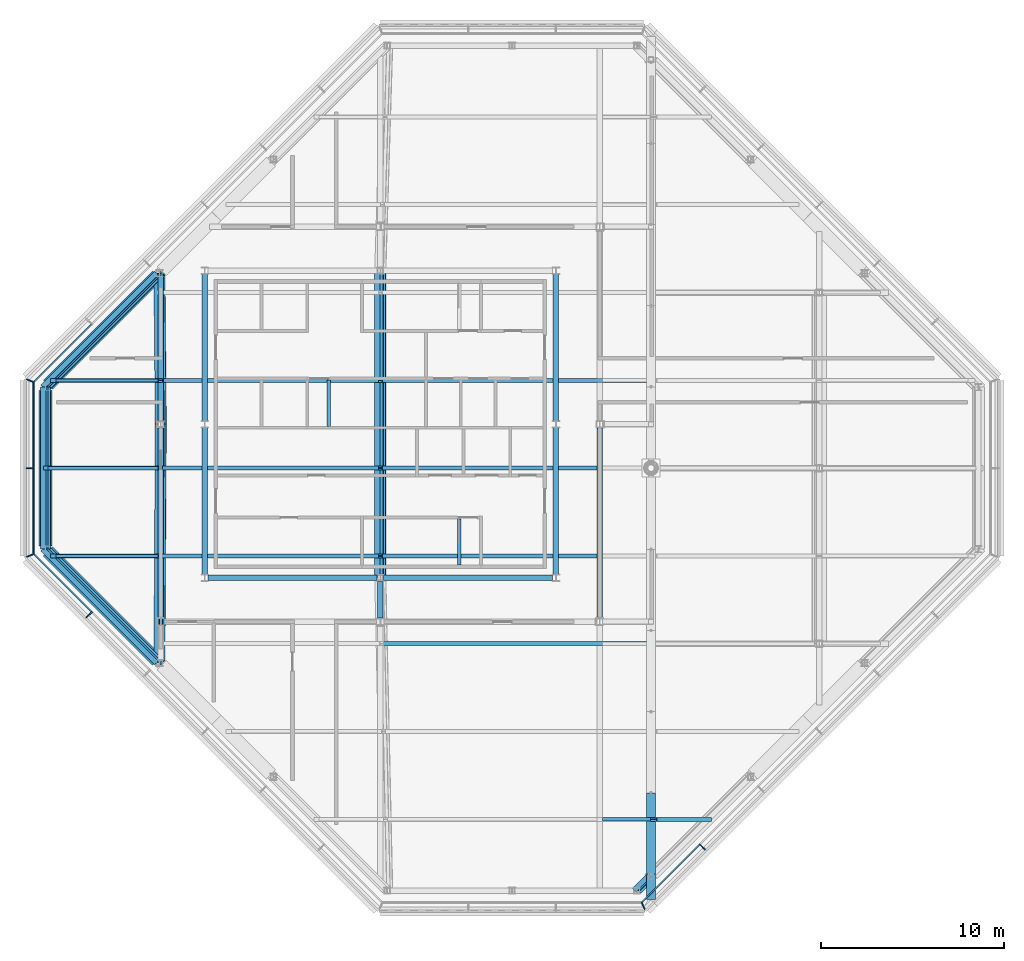
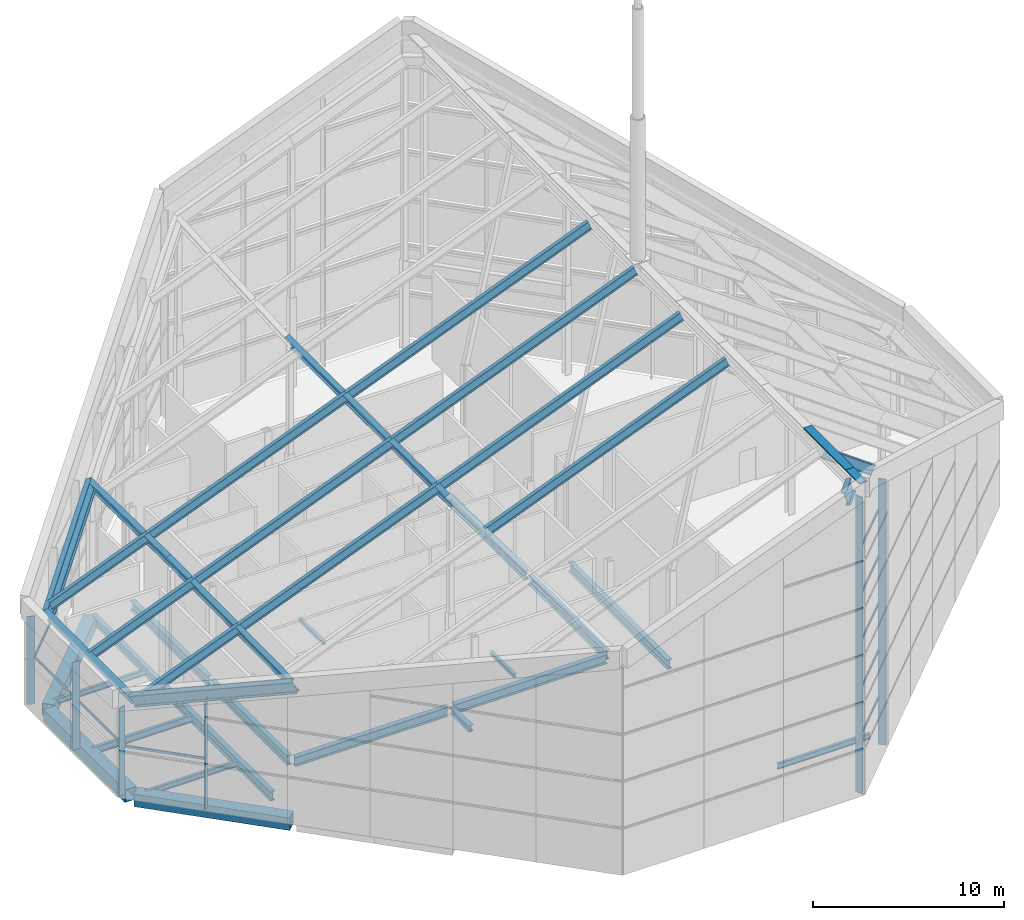
# One storey, part 5 of 21: 37 beams, 17 members, 4 elements without a shape of their own.
"""IFC4 building model written with IfcOpenShell, lengths in metres."""

from ifc_helpers import new_model, si_unit, direction, frame, origin, origin_2d, place, context, subcontext, project, spatial, rectangle, hollow_rectangle, i_section, extrude, material, material_profile, profile_set, type_object, element, aggregate, save


model = new_model("IFC4")

# Units and contexts
model_context = context("Model", 3, precision=1e-05, world=origin(), true_north=direction((0.0, 1.0)))
body_context = subcontext(model_context, "Body", "Model", "MODEL_VIEW")
ifc_project = project(units=[si_unit("LENGTHUNIT", "METRE"), si_unit("AREAUNIT", "SQUARE_METRE"), si_unit("VOLUMEUNIT", "CUBIC_METRE"), si_unit("PLANEANGLEUNIT", "RADIAN"), si_unit("MASSUNIT", "GRAM", prefix="KILO")], contexts=[model_context])

# Site, building, storey
site_placement = place(None, origin())
site = spatial("IfcSite", under=ifc_project, at=site_placement, CompositionType="ELEMENT")
building_placement = place(site_placement, origin())
building = spatial("IfcBuilding", under=site, at=building_placement, Name="Cairn Pilgrim Tower", CompositionType="ELEMENT")
storey_placement = place(building_placement, frame((0.0, 0.0, 295.800048828125)))
storey = spatial("IfcBuildingStorey", under=building, at=storey_placement, Name="L76", CompositionType="ELEMENT", Elevation=295.800048828125)

# Beams
ifc_material_1 = material(Name="Structural steel S355J2", Category="steel")
ifc_material_profile_1 = material_profile(ifc_material_1, hollow_rectangle(XDim=0.699951171875, YDim=0.800048828125, WallThickness=0.0400390625, at=origin_2d()), Name="BOX 700x800x40")
ifc_profile_set_1 = profile_set([ifc_material_profile_1], Name="Structural steel S355J2")
beam_type_1 = type_object("IfcBeamType", Name="BOX 700x800x40 RING GIRDER", PredefinedType="SPANDREL", material=ifc_profile_set_1)
beam_1_placement = place(storey_placement, frame((-5.000244140625, 10.527099609375, -0.60009765625), z_axis=(-0.707092335843, -0.707121226235, 0.0), x_axis=(0.707121226235, -0.707092335843, 0.0)))
element("IfcBeam", 1, at=beam_1_placement, inside=storey, type_object=beam_type_1, Name="RG4-NW3-W1", PredefinedType="SPANDREL", context=body_context, shape_type="SweptSolid", body=[
    extrude(hollow_rectangle(XDim=0.699951171875, YDim=0.800048828125, WallThickness=0.0400390625, at=origin_2d()), origin(), (0.0, 0.0, 1.0), 8.45068359375),
])
beam_2_placement = place(storey_placement, frame((-11.10009765625, 4.251220703125, -0.60009765625), z_axis=(0.0, -1.0, 0.0), x_axis=(1.0, 0.0, 0.0)))
element("IfcBeam", 2, at=beam_2_placement, inside=storey, type_object=beam_type_1, Name="RG4-W1-SW1", PredefinedType="SPANDREL", context=body_context, shape_type="SweptSolid", body=[
    extrude(hollow_rectangle(XDim=0.699951171875, YDim=0.800048828125, WallThickness=0.0400390625, at=origin_2d()), origin(), (0.0, 0.0, 1.0), 8.50244140625),
])
beam_3_placement = place(storey_placement, frame((-10.9755859375, -4.551513671875, -0.60009765625), z_axis=(0.707092335843, -0.707121226235, 0.0), x_axis=(0.707121226235, 0.707092335843, 0.0)))
element("IfcBeam", 3, at=beam_3_placement, inside=storey, type_object=beam_type_1, Name="RG4-SW1-SW2", PredefinedType="SPANDREL", context=body_context, shape_type="SweptSolid", body=[
    extrude(hollow_rectangle(XDim=0.699951171875, YDim=0.800048828125, WallThickness=0.0400390625, at=origin_2d()), origin(), (0.0, 0.0, 1.0), 8.45068359375),
])
ifc_material_profile_2 = material_profile(ifc_material_1, i_section(OverallWidth=0.300048828125, OverallDepth=0.699951171875, WebThickness=0.01708984375, FlangeThickness=0.031982421875, FilletRadius=0.027099609375, at=origin_2d()), Name="HEB 700")
ifc_profile_set_2 = profile_set([ifc_material_profile_2], Name="Structural steel S355J2")
beam_type_2 = type_object("IfcBeamType", Name="CROWN GIRDER HE 700 B", PredefinedType="BEAM", material=ifc_profile_set_2)
beam_4_placement = place(storey_placement, frame((-11.10009765625, 4.42724609375, 5.657958984375), z_axis=(0.0, -1.0, 0.0), x_axis=(0.929416242659, 0.0, 0.369033125724)))
element("IfcBeam", 4, at=beam_4_placement, inside=storey, type_object=beam_type_2, Name="CROWN GIRDER CG-HE700B", PredefinedType="BEAM", context=body_context, shape_type="SweptSolid", body=[
    extrude(i_section(OverallWidth=0.300048828125, OverallDepth=0.699951171875, WebThickness=0.01708984375, FlangeThickness=0.031982421875, FilletRadius=0.027099609375, at=origin_2d()), origin(), (0.0, 0.0, 1.0), 8.8544921875),
])
ifc_material_profile_3 = material_profile(ifc_material_1, i_section(OverallWidth=0.219970703125, OverallDepth=0.60009765625, WebThickness=0.011962890625, FlangeThickness=0.01904296875, FilletRadius=0.02392578125, at=origin_2d()), Name="IPE 600")
ifc_profile_set_3 = profile_set([ifc_material_profile_3], Name="Structural steel S355J2")
beam_type_3 = type_object("IfcBeamType", Name="CROWN RAFTER IPE 600", PredefinedType="BEAM", material=ifc_profile_set_3)
beam_5_placement = place(storey_placement, frame((7.278564453125, -9.60009765625, 13.009033203125), z_axis=(0.929413407122, 0.0, 0.369040266992), x_axis=(0.0, 1.0, 0.0)))
element("IfcBeam", 5, at=beam_5_placement, inside=storey, type_object=beam_type_3, Name="CROWN RAFTER CR-IPE600", PredefinedType="BEAM", context=body_context, shape_type="SweptSolid", body=[
    extrude(i_section(OverallWidth=0.219970703125, OverallDepth=0.60009765625, WebThickness=0.011962890625, FlangeThickness=0.01904296875, FilletRadius=0.02392578125, at=origin_2d()), origin(), (0.0, 0.0, 1.0), 15.67822265625),
])
beam_6_placement = place(storey_placement, frame((-10.727294921875, -4.800048828125, 5.85986328125), z_axis=(0.929428175084, 0.0, 0.369003072291), x_axis=(0.0, 1.0, 0.0)))
element("IfcBeam", 6, at=beam_6_placement, inside=storey, type_object=beam_type_3, Name="CROWN RAFTER CR-IPE600", PredefinedType="BEAM", context=body_context, shape_type="SweptSolid", body=[
    extrude(i_section(OverallWidth=0.219970703125, OverallDepth=0.60009765625, WebThickness=0.011962890625, FlangeThickness=0.01904296875, FilletRadius=0.02392578125, at=origin_2d()), origin(), (0.0, 0.0, 1.0), 6.332275390625),
])
beam_7_placement = place(storey_placement, frame((-4.841796875, -4.800048828125, 8.196533203125), z_axis=(0.929410705557, 0.0, 0.369047070704), x_axis=(0.0, 1.0, 0.0)))
element("IfcBeam", 7, at=beam_7_placement, inside=storey, type_object=beam_type_3, Name="CROWN RAFTER CR-IPE600", PredefinedType="BEAM", context=body_context, shape_type="SweptSolid", body=[
    extrude(i_section(OverallWidth=0.219970703125, OverallDepth=0.60009765625, WebThickness=0.011962890625, FlangeThickness=0.01904296875, FilletRadius=0.02392578125, at=origin_2d()), origin(), (0.0, 0.0, 1.0), 12.956298828125),
])
beam_8_placement = place(storey_placement, frame((7.199951171875, -4.800048828125, 12.97802734375), z_axis=(0.929417953822, 0.0, 0.369028816101), x_axis=(0.0, 1.0, 0.0)))
element("IfcBeam", 8, at=beam_8_placement, inside=storey, type_object=beam_type_3, Name="CROWN RAFTER CR-IPE600", PredefinedType="BEAM", context=body_context, shape_type="SweptSolid", body=[
    extrude(i_section(OverallWidth=0.219970703125, OverallDepth=0.60009765625, WebThickness=0.011962890625, FlangeThickness=0.01904296875, FilletRadius=0.02392578125, at=origin_2d()), origin(), (0.0, 0.0, 1.0), 15.7626953125),
])
beam_9_placement = place(storey_placement, frame((-11.10009765625, 0.0, 5.711669921875), z_axis=(0.929409758717, 0.0, 0.369049455225), x_axis=(0.0, 1.0, 0.0)))
element("IfcBeam", 9, at=beam_9_placement, inside=storey, type_object=beam_type_3, Name="CROWN RAFTER CR-IPE600", PredefinedType="BEAM", context=body_context, shape_type="SweptSolid", body=[
    extrude(i_section(OverallWidth=0.219970703125, OverallDepth=0.60009765625, WebThickness=0.011962890625, FlangeThickness=0.01904296875, FilletRadius=0.02392578125, at=origin_2d()), origin(), (0.0, 0.0, 1.0), 6.763671875),
])
beam_10_placement = place(storey_placement, frame((-4.81396484375, 0.0, 8.207763671875), z_axis=(0.929415455876, 0.0, 0.369035107244), x_axis=(0.0, 1.0, 0.0)))
element("IfcBeam", 10, at=beam_10_placement, inside=storey, type_object=beam_type_3, Name="CROWN RAFTER CR-IPE600", PredefinedType="BEAM", context=body_context, shape_type="SweptSolid", body=[
    extrude(i_section(OverallWidth=0.219970703125, OverallDepth=0.60009765625, WebThickness=0.011962890625, FlangeThickness=0.01904296875, FilletRadius=0.02392578125, at=origin_2d()), origin(), (0.0, 0.0, 1.0), 12.92626953125),
])
beam_11_placement = place(storey_placement, frame((7.199951171875, 0.0, 12.97802734375), z_axis=(0.929417953822, 0.0, 0.369028816101), x_axis=(0.0, 1.0, 0.0)))
element("IfcBeam", 11, at=beam_11_placement, inside=storey, type_object=beam_type_3, Name="CROWN RAFTER CR-IPE600", PredefinedType="BEAM", context=body_context, shape_type="SweptSolid", body=[
    extrude(i_section(OverallWidth=0.219970703125, OverallDepth=0.60009765625, WebThickness=0.011962890625, FlangeThickness=0.01904296875, FilletRadius=0.02392578125, at=origin_2d()), origin(), (0.0, 0.0, 1.0), 15.7626953125),
])
beam_12_placement = place(storey_placement, frame((-10.727294921875, 4.800048828125, 5.85986328125), z_axis=(0.929430267147, 0.0, 0.368997802853), x_axis=(0.0, 1.0, 0.0)))
element("IfcBeam", 12, at=beam_12_placement, inside=storey, type_object=beam_type_3, Name="CROWN RAFTER CR-IPE600", PredefinedType="BEAM", context=body_context, shape_type="SweptSolid", body=[
    extrude(i_section(OverallWidth=0.219970703125, OverallDepth=0.60009765625, WebThickness=0.011962890625, FlangeThickness=0.01904296875, FilletRadius=0.02392578125, at=origin_2d()), origin(), (0.0, 0.0, 1.0), 6.353759765625),
])
beam_13_placement = place(storey_placement, frame((-4.822021484375, 4.800048828125, 8.204345703125), z_axis=(0.929409649093, 0.0, 0.369049731301), x_axis=(0.0, 1.0, 0.0)))
element("IfcBeam", 13, at=beam_13_placement, inside=storey, type_object=beam_type_3, Name="CROWN RAFTER CR-IPE600", PredefinedType="BEAM", context=body_context, shape_type="SweptSolid", body=[
    extrude(i_section(OverallWidth=0.219970703125, OverallDepth=0.60009765625, WebThickness=0.011962890625, FlangeThickness=0.01904296875, FilletRadius=0.02392578125, at=origin_2d()), origin(), (0.0, 0.0, 1.0), 12.93505859375),
])
beam_14_placement = place(storey_placement, frame((7.199951171875, 4.800048828125, 12.97802734375), z_axis=(0.929417953822, 0.0, 0.369028816101), x_axis=(0.0, 1.0, 0.0)))
element("IfcBeam", 14, at=beam_14_placement, inside=storey, type_object=beam_type_3, Name="CROWN RAFTER CR-IPE600", PredefinedType="BEAM", context=body_context, shape_type="SweptSolid", body=[
    extrude(i_section(OverallWidth=0.219970703125, OverallDepth=0.60009765625, WebThickness=0.011962890625, FlangeThickness=0.01904296875, FilletRadius=0.02392578125, at=origin_2d()), origin(), (0.0, 0.0, 1.0), 15.7626953125),
])
beam_15_placement = place(storey_placement, frame((22.14990234375, -19.199951171875, 18.653564453125), z_axis=(0.812272756604, 0.0, -0.583277780203), x_axis=(0.0, 1.0, 0.0)))
element("IfcBeam", 15, at=beam_15_placement, inside=storey, type_object=beam_type_3, Name="CROWN RAFTER CR-IPE600", PredefinedType="BEAM", context=body_context, shape_type="SweptSolid", body=[
    extrude(i_section(OverallWidth=0.219970703125, OverallDepth=0.60009765625, WebThickness=0.011962890625, FlangeThickness=0.01904296875, FilletRadius=0.02392578125, at=origin_2d()), origin(), (0.0, 0.0, 1.0), 3.665283203125),
])
ifc_material_profile_4 = material_profile(ifc_material_1, i_section(OverallWidth=0.300048828125, OverallDepth=0.89990234375, WebThickness=0.0185546875, FlangeThickness=0.034912109375, FilletRadius=0.030029296875, at=origin_2d()), Name="HEB 900")
ifc_profile_set_4 = profile_set([ifc_material_profile_4], Name="Structural steel S355J2")
beam_type_4 = type_object("IfcBeamType", Name="CROWN TRANSFER GIRDER HE 900 B", PredefinedType="BEAM", material=ifc_profile_set_4)
beam_16_placement = place(storey_placement, frame((21.227294921875, -23.10009765625, 18.38623046875), z_axis=(0.696501889298, 0.696721953086, 0.171649754709), x_axis=(-0.6506577895, 0.714089719702, -0.258302754881)))
element("IfcBeam", 16, at=beam_16_placement, inside=storey, type_object=beam_type_4, Name="CROWN TRANSFER GIRDER CT-HE900B", PredefinedType="BEAM", context=body_context, shape_type="SweptSolid", body=[
    extrude(i_section(OverallWidth=0.300048828125, OverallDepth=0.89990234375, WebThickness=0.0185546875, FlangeThickness=0.034912109375, FilletRadius=0.030029296875, at=origin_2d()), origin(), (0.0, 0.0, 1.0), 1.109375),
])
for number, where, z_axis, x_axis, name in (
    (17, (-4.875732421875, 10.651611328125, 8.021728515625), (-0.680783423804, -0.680783423804, -0.270310672648), (0.632731116988, -0.73248476426, 0.251231772915), "CROWN TRANSFER GIRDER CT-HE900B"),
    (18, (-11.10009765625, -4.42724609375, 5.55029296875), (0.680783423804, -0.680783423804, 0.270310672648), (0.632731116988, 0.73248476426, 0.251231772915), "CROWN TRANSFER GIRDER CT-HE900B"),
):
    element("IfcBeam", number, at=place(storey_placement, frame(where, z_axis=z_axis, x_axis=x_axis)), inside=storey, type_object=beam_type_4, Name=name, PredefinedType="BEAM", context=body_context, shape_type="SweptSolid", body=[
        extrude(i_section(OverallWidth=0.300048828125, OverallDepth=0.89990234375, WebThickness=0.0185546875, FlangeThickness=0.034912109375, FilletRadius=0.030029296875, at=origin_2d()), origin(), (0.0, 0.0, 1.0), 9.14306640625),
    ])
beam_17_placement = place(storey_placement, frame((-4.875732421875, -10.651611328125, 8.021728515625), z_axis=(0.005798723649, 0.999980540409, 0.002300783899), x_axis=(-0.929398269392, 0.00623849342, -0.369025660424)))
element("IfcBeam", 19, at=beam_17_placement, inside=storey, type_object=beam_type_4, Name="CROWN TRANSFER GIRDER CT-HE900B", PredefinedType="BEAM", context=body_context, shape_type="SweptSolid", body=[
    extrude(i_section(OverallWidth=0.300048828125, OverallDepth=0.89990234375, WebThickness=0.0185546875, FlangeThickness=0.034912109375, FilletRadius=0.030029296875, at=origin_2d()), origin(), (0.0, 0.0, 1.0), 13.0517578125),
])
beam_18_placement = place(storey_placement, frame((-4.800048828125, 2.39990234375, 8.0517578125), z_axis=(-0.009171422506, 0.999951320218, -0.003638983768), x_axis=(-0.929371276936, -0.009866974601, -0.369014460988)))
element("IfcBeam", 20, at=beam_18_placement, inside=storey, type_object=beam_type_4, Name="CROWN TRANSFER GIRDER CT-HE900B", PredefinedType="BEAM", context=body_context, shape_type="SweptSolid", body=[
    extrude(i_section(OverallWidth=0.300048828125, OverallDepth=0.89990234375, WebThickness=0.0185546875, FlangeThickness=0.034912109375, FilletRadius=0.030029296875, at=origin_2d()), origin(), (0.0, 0.0, 1.0), 8.252197265625),
])
beam_19_placement = place(storey_placement, frame((7.199951171875, -6.0, 12.816650390625), z_axis=(0.0, 1.0, 0.0), x_axis=(-0.929416242659, 0.0, -0.369033125724)))
element("IfcBeam", 21, at=beam_19_placement, inside=storey, type_object=beam_type_4, Name="CROWN TRANSFER GIRDER CT-HE900B", PredefinedType="BEAM", context=body_context, shape_type="SweptSolid", body=[
    extrude(i_section(OverallWidth=0.300048828125, OverallDepth=0.89990234375, WebThickness=0.0185546875, FlangeThickness=0.034912109375, FilletRadius=0.030029296875, at=origin_2d()), origin(), (0.0, 0.0, 1.0), 16.800048828125),
])

# Curtain wall, members
ifc_material_2 = material(Name="Aluminium alloy 6063-T6 bronze anodised with Bronze tinted laminated low-E glass 8+16+8.8", Category="aluminium")
curtain_wall_type = type_object("IfcCurtainWallType", Name="CROWN LOUVRE CURTAIN WALL", PredefinedType="NOTDEFINED", material=ifc_material_2)
curtain_wall_1_placement = place(storey_placement, origin())
curtain_wall_1 = element("IfcCurtainWall", 22, at=curtain_wall_1_placement, inside=storey, type_object=curtain_wall_type, Name="Crown Louvre Curtain Wall SE", PredefinedType="NOTDEFINED")
ifc_material_3 = material(Name="Aluminium alloy 6063-T6 bronze anodised", Category="aluminium")
ifc_material_profile_5 = material_profile(ifc_material_3, rectangle(XDim=0.449951171875, YDim=0.06005859375, at=origin_2d()), Name="FIN MULLION 60x450 BRONZE")
ifc_profile_set_5 = profile_set([ifc_material_profile_5], Name="Aluminium alloy 6063-T6 bronze anodised")
member_type_1 = type_object("IfcMemberType", Name="FIN MULLION 60x450 BRONZE", PredefinedType="MULLION", material=ifc_profile_set_5)
member_1_placement = place(storey_placement, frame((21.571044921875, -23.93017578125, 0.0), z_axis=(0.0, 0.0, 1.0), x_axis=(0.382683432365, -0.923879532511, 0.0)))
member_1 = element("IfcMember", 23, at=member_1_placement, type_object=member_type_1, Name="Fin mullion SE1", PredefinedType="MULLION", context=body_context, shape_type="SweptSolid", body=[
    extrude(rectangle(XDim=0.449951171875, YDim=0.06005859375, at=origin_2d()), origin(), (0.0, 0.0, 1.0), 18.961669921875),
])
member_2_placement = place(storey_placement, frame((24.809814453125, -20.71240234375, 0.0), z_axis=(0.0, 0.0, 1.0), x_axis=(0.707106781187, -0.707106781187, 0.0)))
member_2 = element("IfcMember", 24, at=member_2_placement, type_object=member_type_1, Name="Fin mullion SE2", PredefinedType="MULLION", context=body_context, shape_type="SweptSolid", body=[
    extrude(rectangle(XDim=0.449951171875, YDim=0.06005859375, at=origin_2d()), origin(), (0.0, 0.0, 1.0), 16.9833984375),
])

curtain_wall_2_placement = place(storey_placement, origin())
curtain_wall_2 = element("IfcCurtainWall", 25, at=curtain_wall_2_placement, inside=storey, type_object=curtain_wall_type, Name="Crown Louvre Curtain Wall W", PredefinedType="NOTDEFINED")
member_3_placement = place(storey_placement, frame((-11.93017578125, 4.77099609375, 0.0), z_axis=(0.0, 0.0, 1.0), x_axis=(-0.923879532511, 0.382683432365, 0.0)))
member_3 = element("IfcMember", 26, at=member_3_placement, type_object=member_type_1, Name="Fin mullion W1", PredefinedType="MULLION", context=body_context, shape_type="SweptSolid", body=[
    extrude(rectangle(XDim=0.449951171875, YDim=0.06005859375, at=origin_2d()), origin(), (0.0, 0.0, 1.0), 5.617919921875),
])
member_4_placement = place(storey_placement, frame((-11.945068359375, 0.0, 0.0), z_axis=(0.0, 0.0, 1.0), x_axis=(-1.0, 0.0, 0.0)))
member_4 = element("IfcMember", 27, at=member_4_placement, type_object=member_type_1, Name="Fin mullion W2", PredefinedType="MULLION", context=body_context, shape_type="SweptSolid", body=[
    extrude(rectangle(XDim=0.449951171875, YDim=0.06005859375, at=origin_2d()), origin(), (0.0, 0.0, 1.0), 5.609619140625),
])

curtain_wall_3_placement = place(storey_placement, origin())
curtain_wall_3 = element("IfcCurtainWall", 28, at=curtain_wall_3_placement, inside=storey, type_object=curtain_wall_type, Name="Crown Louvre Curtain Wall SW", PredefinedType="NOTDEFINED")
member_5_placement = place(storey_placement, frame((-11.93017578125, -4.77099609375, 0.0), z_axis=(0.0, 0.0, 1.0), x_axis=(-0.923879532511, -0.382683432365, 0.0)))
member_5 = element("IfcMember", 29, at=member_5_placement, type_object=member_type_1, Name="Fin mullion SW1", PredefinedType="MULLION", context=body_context, shape_type="SweptSolid", body=[
    extrude(rectangle(XDim=0.449951171875, YDim=0.06005859375, at=origin_2d()), origin(), (0.0, 0.0, 1.0), 5.617919921875),
])
member_6_placement = place(storey_placement, frame((-8.71240234375, -8.010009765625, 0.0), z_axis=(0.0, 0.0, 1.0), x_axis=(-0.707106781187, -0.707106781187, 0.0)))
member_6 = element("IfcMember", 30, at=member_6_placement, type_object=member_type_1, Name="Fin mullion SW2", PredefinedType="MULLION", context=body_context, shape_type="SweptSolid", body=[
    extrude(rectangle(XDim=0.449951171875, YDim=0.06005859375, at=origin_2d()), origin(), (0.0, 0.0, 1.0), 6.910888671875),
])

# Beams
ifc_material_profile_6 = material_profile(ifc_material_1, i_section(OverallWidth=0.300048828125, OverallDepth=0.39990234375, WebThickness=0.013427734375, FlangeThickness=0.02392578125, FilletRadius=0.027099609375, at=origin_2d()), Name="HEB 400")
ifc_profile_set_6 = profile_set([ifc_material_profile_6], Name="Structural steel S355J2")
beam_type_5 = type_object("IfcBeamType", Name="HEB 400 GIRDER", PredefinedType="BEAM", material=ifc_profile_set_6)
beam_20_placement = place(storey_placement, frame((7.199951171875, -8.202880859375, -0.400146484375), z_axis=(0.0, 1.0, 0.0), x_axis=(-1.0, 0.0, 0.0)))
element("IfcBeam", 31, at=beam_20_placement, inside=storey, type_object=beam_type_5, Name="PG3-E1", PredefinedType="BEAM", context=body_context, shape_type="SweptSolid", body=[
    extrude(i_section(OverallWidth=0.300048828125, OverallDepth=0.39990234375, WebThickness=0.013427734375, FlangeThickness=0.02392578125, FilletRadius=0.027099609375, at=origin_2d()), origin(), (0.0, 0.0, 1.0), 2.00390625),
])
ifc_material_profile_7 = material_profile(ifc_material_1, i_section(OverallWidth=0.300048828125, OverallDepth=0.5, WebThickness=0.014404296875, FlangeThickness=0.028076171875, FilletRadius=0.027099609375, at=origin_2d()), Name="HEB 500")
ifc_profile_set_7 = profile_set([ifc_material_profile_7], Name="Structural steel S355J2")
beam_type_6 = type_object("IfcBeamType", Name="HEB 500 GIRDER", PredefinedType="BEAM", material=ifc_profile_set_7)
beam_21_placement = place(storey_placement, frame((-4.800048828125, 2.596923828125, -0.449951171875), z_axis=(0.0, 1.0, 0.0), x_axis=(-1.0, 0.0, 0.0)))
element("IfcBeam", 32, at=beam_21_placement, inside=storey, type_object=beam_type_6, Name="PG2-2", PredefinedType="BEAM", context=body_context, shape_type="SweptSolid", body=[
    extrude(i_section(OverallWidth=0.300048828125, OverallDepth=0.5, WebThickness=0.014404296875, FlangeThickness=0.028076171875, FilletRadius=0.027099609375, at=origin_2d()), origin(), (0.0, 0.0, 1.0), 7.9482421875),
])
ifc_material_profile_8 = material_profile(ifc_material_1, i_section(OverallWidth=0.300048828125, OverallDepth=0.60009765625, WebThickness=0.015380859375, FlangeThickness=0.030029296875, FilletRadius=0.027099609375, at=origin_2d()), Name="HEB 600")
ifc_profile_set_8 = profile_set([ifc_material_profile_8], Name="Structural steel S355J2")
beam_type_7 = type_object("IfcBeamType", Name="HEB 600 CORE BEAM", PredefinedType="BEAM", material=ifc_profile_set_8)
beam_22_placement = place(storey_placement, frame((-2.220947265625, -6.0, -0.5), z_axis=(1.0, 0.0, 0.0), x_axis=(0.0, 1.0, 0.0)))
element("IfcBeam", 33, at=beam_22_placement, inside=storey, type_object=beam_type_7, Name="CB-1", PredefinedType="BEAM", context=body_context, shape_type="SweptSolid", body=[
    extrude(i_section(OverallWidth=0.300048828125, OverallDepth=0.60009765625, WebThickness=0.015380859375, FlangeThickness=0.030029296875, FilletRadius=0.027099609375, at=origin_2d()), origin(), (0.0, 0.0, 1.0), 9.241943359375),
])
beam_23_placement = place(storey_placement, frame((7.379150390625, -6.0, -0.5), z_axis=(1.0, 0.0, 0.0), x_axis=(0.0, 1.0, 0.0)))
element("IfcBeam", 34, at=beam_23_placement, inside=storey, type_object=beam_type_7, Name="CB-2", PredefinedType="BEAM", context=body_context, shape_type="SweptSolid", body=[
    extrude(i_section(OverallWidth=0.300048828125, OverallDepth=0.60009765625, WebThickness=0.015380859375, FlangeThickness=0.030029296875, FilletRadius=0.027099609375, at=origin_2d()), origin(), (0.0, 0.0, 1.0), 9.24169921875),
])
for number, where, z_axis, x_axis, name in (
    (35, (16.800048828125, -5.82080078125, -0.5), (0.0, 1.0, 0.0), (-1.0, 0.0, 0.0), "CB-3"),
    (36, (16.800048828125, 2.5791015625, -0.5), (0.0, 1.0, 0.0), (-1.0, 0.0, 0.0), "CB-4"),
    (37, (-2.39990234375, 10.620849609375, -0.5), (0.0, -1.0, 0.0), (1.0, 0.0, 0.0), "CB-7"),
    (38, (-2.39990234375, 2.220947265625, -0.5), (0.0, -1.0, 0.0), (1.0, 0.0, 0.0), "CB-8"),
):
    element("IfcBeam", number, at=place(storey_placement, frame(where, z_axis=z_axis, x_axis=x_axis)), inside=storey, type_object=beam_type_7, Name=name, PredefinedType="BEAM", context=body_context, shape_type="SweptSolid", body=[
        extrude(i_section(OverallWidth=0.300048828125, OverallDepth=0.60009765625, WebThickness=0.015380859375, FlangeThickness=0.030029296875, FilletRadius=0.027099609375, at=origin_2d()), origin(), (0.0, 0.0, 1.0), 8.041748046875),
    ])
ifc_material_profile_9 = material_profile(ifc_material_1, i_section(OverallWidth=0.300048828125, OverallDepth=0.60009765625, WebThickness=0.015380859375, FlangeThickness=0.030029296875, FilletRadius=0.027099609375, at=origin_2d()), Name="HEB 600")
ifc_profile_set_9 = profile_set([ifc_material_profile_9], Name="Structural steel S355J2")
beam_type_8 = type_object("IfcBeamType", Name="HEB 600 GIRDER", PredefinedType="BEAM", material=ifc_profile_set_9)
for number, where, z_axis, x_axis, name in (
    (39, (-4.800048828125, -8.202880859375, -0.5), (0.0, 1.0, 0.0), (-1.0, 0.0, 0.0), "PG2-1"),
    (40, (19.199951171875, -8.202880859375, -0.5), (0.0, 1.0, 0.0), (-1.0, 0.0, 0.0), "PG4-2"),
):
    element("IfcBeam", number, at=place(storey_placement, frame(where, z_axis=z_axis, x_axis=x_axis)), inside=storey, type_object=beam_type_8, Name=name, PredefinedType="BEAM", context=body_context, shape_type="SweptSolid", body=[
        extrude(i_section(OverallWidth=0.300048828125, OverallDepth=0.60009765625, WebThickness=0.015380859375, FlangeThickness=0.030029296875, FilletRadius=0.027099609375, at=origin_2d()), origin(), (0.0, 0.0, 1.0), 10.40576171875),
    ])
ifc_material_profile_10 = material_profile(ifc_material_1, i_section(OverallWidth=0.169921875, OverallDepth=0.360107421875, WebThickness=0.008056640625, FlangeThickness=0.0126953125, FilletRadius=0.01806640625, at=origin_2d()), Name="IPE 360")
ifc_profile_set_10 = profile_set([ifc_material_profile_10], Name="Structural steel S355J2")
beam_type_9 = type_object("IfcBeamType", Name="IPE 360 SECONDARY BEAM", PredefinedType="JOIST", material=ifc_profile_set_10)
beam_24_placement = place(storey_placement, frame((19.35009765625, -19.199951171875, -0.380126953125), z_axis=(1.0, 0.0, 0.0), x_axis=(0.0, 1.0, 0.0)))
element("IfcBeam", 41, at=beam_24_placement, inside=storey, type_object=beam_type_9, Name="SB1-3", PredefinedType="JOIST", context=body_context, shape_type="SweptSolid", body=[
    extrude(i_section(OverallWidth=0.169921875, OverallDepth=0.360107421875, WebThickness=0.008056640625, FlangeThickness=0.0126953125, FilletRadius=0.01806640625, at=origin_2d()), origin(), (0.0, 0.0, 1.0), 5.594970703125),
])
for number, where, z_axis, x_axis, name in (
    (42, (-10.545166015625, -4.800048828125, -0.380126953125), (1.0, 0.0, 0.0), (0.0, 1.0, 0.0), "SB4-1"),
    (43, (-10.545166015625, 4.800048828125, -0.380126953125), (1.0, 0.0, 0.0), (0.0, 1.0, 0.0), "SB6-1"),
):
    element("IfcBeam", number, at=place(storey_placement, frame(where, z_axis=z_axis, x_axis=x_axis)), inside=storey, type_object=beam_type_9, Name=name, PredefinedType="JOIST", context=body_context, shape_type="SweptSolid", body=[
        extrude(i_section(OverallWidth=0.169921875, OverallDepth=0.360107421875, WebThickness=0.008056640625, FlangeThickness=0.0126953125, FilletRadius=0.01806640625, at=origin_2d()), origin(), (0.0, 0.0, 1.0), 5.59521484375),
    ])
ifc_material_profile_11 = material_profile(ifc_material_1, i_section(OverallWidth=0.18994140625, OverallDepth=0.449951171875, WebThickness=0.009521484375, FlangeThickness=0.0146484375, FilletRadius=0.02099609375, at=origin_2d()), Name="IPE 450")
ifc_profile_set_11 = profile_set([ifc_material_profile_11], Name="Structural steel S355J2")
beam_type_10 = type_object("IfcBeamType", Name="IPE 450 SECONDARY BEAM", PredefinedType="JOIST", material=ifc_profile_set_11)
beam_25_placement = place(storey_placement, frame((-10.97998046875, 0.0, -0.425048828125), z_axis=(1.0, 0.0, 0.0), x_axis=(0.0, 1.0, 0.0)))
element("IfcBeam", 44, at=beam_25_placement, inside=storey, type_object=beam_type_10, Name="SB5-1", PredefinedType="JOIST", context=body_context, shape_type="SweptSolid", body=[
    extrude(i_section(OverallWidth=0.18994140625, OverallDepth=0.449951171875, WebThickness=0.009521484375, FlangeThickness=0.0146484375, FilletRadius=0.02099609375, at=origin_2d()), origin(), (0.0, 0.0, 1.0), 6.030029296875),
])

# Members
ifc_material_profile_12 = material_profile(ifc_material_3, rectangle(XDim=0.5, YDim=0.080078125, at=origin_2d()), Name="RIDGE CAP 500x80 BRONZE")
ifc_profile_set_12 = profile_set([ifc_material_profile_12], Name="Aluminium alloy 6063-T6 bronze anodised")
member_type_2 = type_object("IfcMemberType", Name="RIDGE CAP 500x80 BRONZE", PredefinedType="USERDEFINED", material=ifc_profile_set_12)
member_7_placement = place(storey_placement, frame((22.0, -23.60009765625, 19.48046875), z_axis=(0.0, 1.0, 0.0), x_axis=(-1.0, 0.0, 0.0)))
element("IfcMember", 45, at=member_7_placement, inside=storey, type_object=member_type_2, Name="Ridge cap 1", ObjectType="RIDGE CAP", PredefinedType="USERDEFINED", context=body_context, shape_type="SweptSolid", body=[
    extrude(rectangle(XDim=0.5, YDim=0.080078125, at=origin_2d()), origin(), (0.0, 0.0, 1.0), 1.40283203125),
])
member_8_placement = place(storey_placement, frame((22.0, -22.197265625, 19.48046875), z_axis=(0.0, 1.0, 0.0), x_axis=(-1.0, 0.0, 0.0)))
element("IfcMember", 46, at=member_8_placement, inside=storey, type_object=member_type_2, Name="Ridge cap 2", ObjectType="RIDGE CAP", PredefinedType="USERDEFINED", context=body_context, shape_type="SweptSolid", body=[
    extrude(rectangle(XDim=0.5, YDim=0.080078125, at=origin_2d()), origin(), (0.0, 0.0, 1.0), 4.439453125),
])

# Beams
ifc_material_profile_13 = material_profile(ifc_material_1, i_section(OverallWidth=0.199951171875, OverallDepth=0.199951171875, WebThickness=0.009033203125, FlangeThickness=0.014892578125, FilletRadius=0.01806640625, at=origin_2d()), Name="HE 200 B")
ifc_profile_set_13 = profile_set([ifc_material_profile_13], Name="Structural steel S355J2")
beam_type_11 = type_object("IfcBeamType", Name="STAIR LANDING BEAM HE 200 B", PredefinedType="BEAM", material=ifc_profile_set_13)
beam_26_placement = place(storey_placement, frame((11.5244140625, -2.77490234375, -0.300048828125), z_axis=(0.0, -1.0, 0.0), x_axis=(1.0, 0.0, 0.0)))
element("IfcBeam", 47, at=beam_26_placement, inside=storey, type_object=beam_type_11, Name="STAIR LANDING BEAM LD-HE200B", PredefinedType="BEAM", context=body_context, shape_type="SweptSolid", body=[
    extrude(i_section(OverallWidth=0.199951171875, OverallDepth=0.199951171875, WebThickness=0.009033203125, FlangeThickness=0.014892578125, FilletRadius=0.01806640625, at=origin_2d()), origin(), (0.0, 0.0, 1.0), 2.525146484375),
])
beam_27_placement = place(storey_placement, frame((4.37548828125, 2.27490234375, -0.300048828125), z_axis=(0.0, 1.0, 0.0), x_axis=(-1.0, 0.0, 0.0)))
element("IfcBeam", 48, at=beam_27_placement, inside=storey, type_object=beam_type_11, Name="STAIR LANDING BEAM LD-HE200B", PredefinedType="BEAM", context=body_context, shape_type="SweptSolid", body=[
    extrude(i_section(OverallWidth=0.199951171875, OverallDepth=0.199951171875, WebThickness=0.009033203125, FlangeThickness=0.014892578125, FilletRadius=0.01806640625, at=origin_2d()), origin(), (0.0, 0.0, 1.0), 2.550048828125),
])

# Member
ifc_material_profile_14 = material_profile(ifc_material_3, rectangle(XDim=0.080078125, YDim=0.14990234375, at=origin_2d()), Name="TRANSOM 80x150 BRONZE")
ifc_profile_set_14 = profile_set([ifc_material_profile_14], Name="Aluminium alloy 6063-T6 bronze anodised")
member_type_3 = type_object("IfcMemberType", Name="TRANSOM 80x150 BRONZE", PredefinedType="USERDEFINED", material=ifc_profile_set_14)
member_9_placement = place(storey_placement, frame((21.524658203125, -23.7216796875, 3.0), z_axis=(0.707134392299, 0.707079168996, 0.0), x_axis=(-0.707079168996, 0.707134392299, 0.0)))
member_9 = element("IfcMember", 49, at=member_9_placement, type_object=member_type_3, Name="Transom SE1", ObjectType="TRANSOM", PredefinedType="USERDEFINED", context=body_context, shape_type="SweptSolid", body=[
    extrude(rectangle(XDim=0.080078125, YDim=0.14990234375, at=origin_2d()), origin(), (0.0, 0.0, 1.0), 4.4208984375),
])

member_10_placement = place(storey_placement, frame((21.524658203125, -23.7216796875, 6.0), z_axis=(0.707134392299, 0.707079168996, 0.0), x_axis=(-0.707079168996, 0.707134392299, 0.0)))
member_10 = element("IfcMember", 50, at=member_10_placement, type_object=member_type_3, Name="Transom SE1", ObjectType="TRANSOM", PredefinedType="USERDEFINED", context=body_context, shape_type="SweptSolid", body=[
    extrude(rectangle(XDim=0.080078125, YDim=0.14990234375, at=origin_2d()), origin(), (0.0, 0.0, 1.0), 4.4208984375),
])

member_11_placement = place(storey_placement, frame((21.524658203125, -23.7216796875, 9.0), z_axis=(0.707134392299, 0.707079168996, 0.0), x_axis=(-0.707079168996, 0.707134392299, 0.0)))
member_11 = element("IfcMember", 51, at=member_11_placement, type_object=member_type_3, Name="Transom SE1", ObjectType="TRANSOM", PredefinedType="USERDEFINED", context=body_context, shape_type="SweptSolid", body=[
    extrude(rectangle(XDim=0.080078125, YDim=0.14990234375, at=origin_2d()), origin(), (0.0, 0.0, 1.0), 4.4208984375),
])

member_12_placement = place(storey_placement, frame((21.524658203125, -23.7216796875, 12.0), z_axis=(0.707134392299, 0.707079168996, 0.0), x_axis=(-0.707079168996, 0.707134392299, 0.0)))
member_12 = element("IfcMember", 52, at=member_12_placement, type_object=member_type_3, Name="Transom SE1", ObjectType="TRANSOM", PredefinedType="USERDEFINED", context=body_context, shape_type="SweptSolid", body=[
    extrude(rectangle(XDim=0.080078125, YDim=0.14990234375, at=origin_2d()), origin(), (0.0, 0.0, 1.0), 4.4208984375),
])

member_13_placement = place(storey_placement, frame((21.524658203125, -23.7216796875, 15.0), z_axis=(0.707134392299, 0.707079168996, 0.0), x_axis=(-0.707079168996, 0.707134392299, 0.0)))
member_13 = element("IfcMember", 53, at=member_13_placement, type_object=member_type_3, Name="Transom SE1", ObjectType="TRANSOM", PredefinedType="USERDEFINED", context=body_context, shape_type="SweptSolid", body=[
    extrude(rectangle(XDim=0.080078125, YDim=0.14990234375, at=origin_2d()), origin(), (0.0, 0.0, 1.0), 4.4208984375),
])

aggregate(curtain_wall_1, [member_1, member_2, member_9, member_10, member_11, member_12, member_13])

# Curtain wall, member
curtain_wall_4_placement = place(storey_placement, origin())
curtain_wall_4 = element("IfcCurtainWall", 54, at=curtain_wall_4_placement, inside=storey, type_object=curtain_wall_type, Name="Crown Louvre Curtain Wall NW", PredefinedType="NOTDEFINED")
member_14_placement = place(storey_placement, frame((-8.595703125, 7.850830078125, 3.0), z_axis=(-0.707079168996, -0.707134392299, 0.0), x_axis=(0.707134392299, -0.707079168996, 0.0)))
member_14 = element("IfcMember", 55, at=member_14_placement, type_object=member_type_3, Name="Transom NW6", ObjectType="TRANSOM", PredefinedType="USERDEFINED", context=body_context, shape_type="SweptSolid", body=[
    extrude(rectangle(XDim=0.080078125, YDim=0.14990234375, at=origin_2d()), origin(), (0.0, 0.0, 1.0), 4.4208984375),
])
aggregate(curtain_wall_4, [member_14])

# Member
member_15_placement = place(storey_placement, frame((-11.75, 4.656494140625, 3.0), z_axis=(0.0, -1.0, 0.0), x_axis=(1.0, 0.0, 0.0)))
member_15 = element("IfcMember", 56, at=member_15_placement, type_object=member_type_3, Name="Transom W1", ObjectType="TRANSOM", PredefinedType="USERDEFINED", context=body_context, shape_type="SweptSolid", body=[
    extrude(rectangle(XDim=0.080078125, YDim=0.14990234375, at=origin_2d()), origin(), (0.0, 0.0, 1.0), 4.62646484375),
])

member_16_placement = place(storey_placement, frame((-11.75, -0.030029296875, 3.0), z_axis=(0.0, -1.0, 0.0), x_axis=(1.0, 0.0, 0.0)))
member_16 = element("IfcMember", 57, at=member_16_placement, type_object=member_type_3, Name="Transom W2", ObjectType="TRANSOM", PredefinedType="USERDEFINED", context=body_context, shape_type="SweptSolid", body=[
    extrude(rectangle(XDim=0.080078125, YDim=0.14990234375, at=origin_2d()), origin(), (0.0, 0.0, 1.0), 4.62646484375),
])

aggregate(curtain_wall_2, [member_3, member_4, member_15, member_16])

member_17_placement = place(storey_placement, frame((-11.7216796875, -4.724609375, 3.0), z_axis=(0.707079168996, -0.707134392299, 0.0), x_axis=(0.707134392299, 0.707079168996, 0.0)))
member_17 = element("IfcMember", 58, at=member_17_placement, type_object=member_type_3, Name="Transom SW1", ObjectType="TRANSOM", PredefinedType="USERDEFINED", context=body_context, shape_type="SweptSolid", body=[
    extrude(rectangle(XDim=0.080078125, YDim=0.14990234375, at=origin_2d()), origin(), (0.0, 0.0, 1.0), 4.4208984375),
])

aggregate(curtain_wall_3, [member_5, member_6, member_17])

save(model, "model.ifc")
